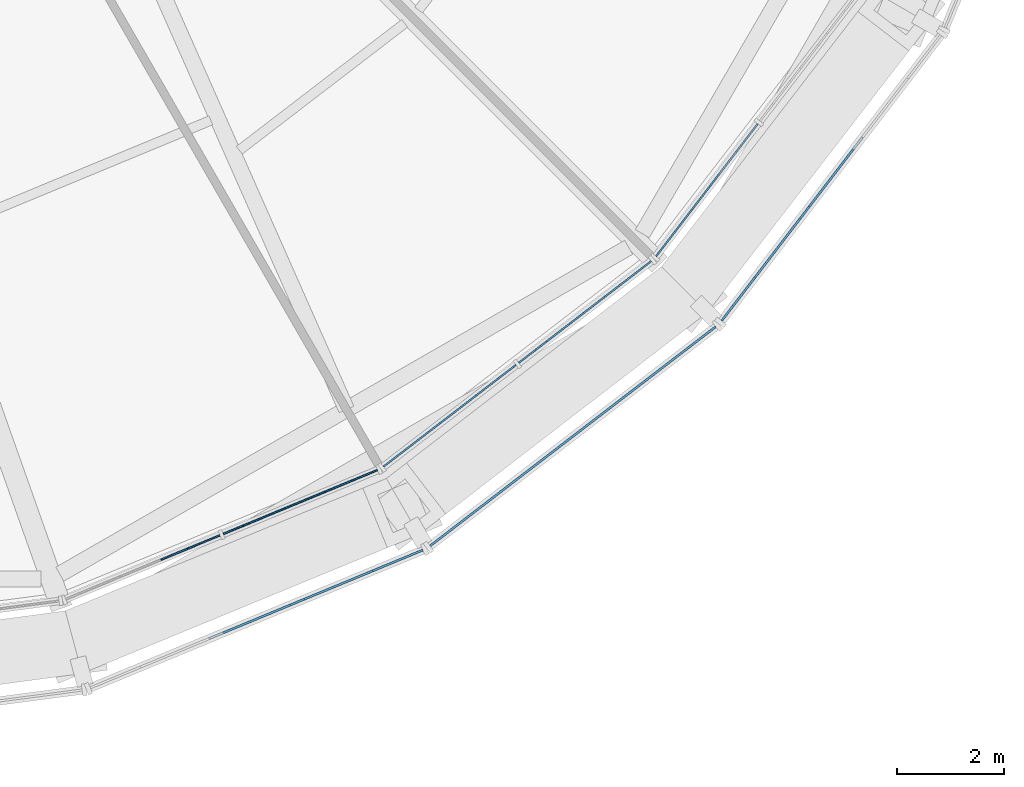
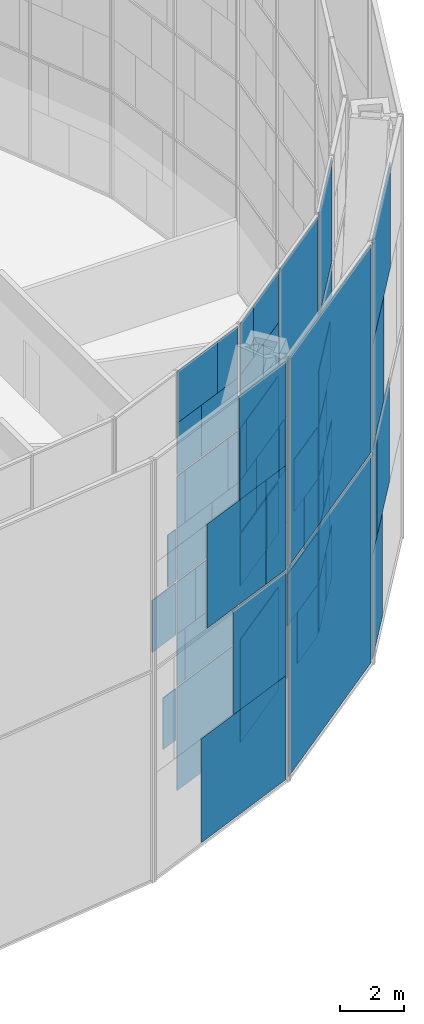
# One storey, part 18 of 30: 63 plates, 6 elements without a shape of their own.
"""IFC4 building model written with IfcOpenShell, lengths in metres."""

from ifc_helpers import new_model, si_unit, direction, frame, origin, origin_2d, place, context, subcontext, project, spatial, rectangle, extrude, material, layer, layer_set, type_object, element, aggregate, save


model = new_model("IFC4")

# Units and contexts
model_context = context("Model", 3, precision=1e-05, world=origin(), true_north=direction((0.0, 1.0)))
body_context = subcontext(model_context, "Body", "Model", "MODEL_VIEW")
ifc_project = project(units=[si_unit("LENGTHUNIT", "METRE"), si_unit("AREAUNIT", "SQUARE_METRE"), si_unit("VOLUMEUNIT", "CUBIC_METRE"), si_unit("PLANEANGLEUNIT", "RADIAN"), si_unit("MASSUNIT", "GRAM", prefix="KILO")], contexts=[model_context])

# Site, building, storey
site_placement = place(None, origin())
site = spatial("IfcSite", under=ifc_project, at=site_placement, CompositionType="ELEMENT")
building_placement = place(site_placement, origin())
building = spatial("IfcBuilding", under=site, at=building_placement, Name="Golbaran Civic Tower", CompositionType="ELEMENT")
storey_placement = place(building_placement, frame((0.0, 0.0, 102.0)))
storey = spatial("IfcBuildingStorey", under=building, at=storey_placement, Name="L24", CompositionType="ELEMENT", Elevation=102.0)

# Curtain wall, plates
ifc_material_1 = material(Name="Aluminium and glass", Category="aluminium")
curtain_wall_type_1 = type_object("IfcCurtainWallType", Name="INNER SKIN CURTAIN WALL", PredefinedType="NOTDEFINED", material=ifc_material_1)
curtain_wall_1_placement = place(storey_placement, origin())
curtain_wall_1 = element("IfcCurtainWall", 1, at=curtain_wall_1_placement, inside=storey, type_object=curtain_wall_type_1, Name="Inner skin L24 facet 20 CW1", ObjectType="INNER SKIN", PredefinedType="USERDEFINED")
ifc_material_2 = material(Name="Clear insulating glass", Category="glass")
ifc_layer_1 = layer(ifc_material_2, 0.031982421875, Name="Clear insulating glass")
ifc_layer_set_1 = layer_set([ifc_layer_1], Name="Clear insulating glass")
plate_type_1 = type_object("IfcPlateType", Name="INNER SKIN CURTAIN WALL GLAZED PANEL", PredefinedType="CURTAIN_PANEL", material=ifc_layer_set_1)
plate_1_placement = place(storey_placement, frame((8.994140625, -22.64990234375, 2.016357421875), z_axis=(0.0, 0.0, 1.0), x_axis=(0.923879532465, 0.382683432478, 0.0)))
plate_1 = element("IfcPlate", 2, at=plate_1_placement, type_object=plate_type_1, Name="CW1 panel 1.1 part 4", PredefinedType="CURTAIN_PANEL", context=body_context, shape_type="SweptSolid", body=[
    extrude(rectangle(XDim=0.651611328125, YDim=0.031982421875, at=origin_2d()), origin(), (0.0, 0.0, 1.0), 1.951171875),
])
plate_2_placement = place(storey_placement, frame((10.7919921875, -21.9052734375, 0.06494140625), z_axis=(0.0, 0.0, 1.0), x_axis=(0.923879532465, 0.382683432478, 0.0)))
plate_2 = element("IfcPlate", 3, at=plate_2_placement, type_object=plate_type_1, Name="CW1 panel 2.1", PredefinedType="CURTAIN_PANEL", context=body_context, shape_type="SweptSolid", body=[
    extrude(rectangle(XDim=3.110595703125, YDim=0.031982421875, at=origin_2d()), origin(), (0.0, 0.0, 1.0), 3.902587890625),
])
plate_3_placement = place(storey_placement, frame((10.977294921875, -21.82861328125, 4.03271484375), z_axis=(0.0, 0.0, 1.0), x_axis=(0.923879532465, 0.382683432478, 0.0)))
plate_3 = element("IfcPlate", 4, at=plate_3_placement, type_object=plate_type_1, Name="CW1 panel 2.2 part 2", PredefinedType="CURTAIN_PANEL", context=body_context, shape_type="SweptSolid", body=[
    extrude(rectangle(XDim=2.70947265625, YDim=0.031982421875, at=origin_2d()), origin(), (0.0, 0.0, 1.0), 1.967529296875),
])
plate_4_placement = place(storey_placement, frame((11.226318359375, -21.725341796875, 6.0), z_axis=(0.0, 0.0, 1.0), x_axis=(0.923879532465, 0.382683432478, 0.0)))
plate_4 = element("IfcPlate", 5, at=plate_4_placement, type_object=plate_type_1, Name="CW1 panel 2.2 part 4", PredefinedType="CURTAIN_PANEL", context=body_context, shape_type="SweptSolid", body=[
    extrude(rectangle(XDim=2.170654296875, YDim=0.031982421875, at=origin_2d()), origin(), (0.0, 0.0, 1.0), 1.967529296875),
])
plate_5_placement = place(storey_placement, frame((11.615234375, -21.564208984375, 8.03271484375), z_axis=(0.0, 0.0, 1.0), x_axis=(0.923879532465, 0.382683432478, 0.0)))
plate_5 = element("IfcPlate", 6, at=plate_5_placement, type_object=plate_type_1, Name="CW1 panel 2.3 part 2", PredefinedType="CURTAIN_PANEL", context=body_context, shape_type="SweptSolid", body=[
    extrude(rectangle(XDim=1.32861328125, YDim=0.031982421875, at=origin_2d()), origin(), (0.0, 0.0, 1.0), 1.967529296875),
])
plate_6_placement = place(storey_placement, frame((9.5400390625, -22.423828125, 10.0), z_axis=(0.0, 0.0, 1.0), x_axis=(0.923879532465, 0.382683432478, 0.0)))
plate_6 = element("IfcPlate", 7, at=plate_6_placement, type_object=plate_type_1, Name="CW1 panel 2.3 part 3", PredefinedType="CURTAIN_PANEL", context=body_context, shape_type="SweptSolid", body=[
    extrude(rectangle(XDim=0.39990234375, YDim=0.031982421875, at=origin_2d()), origin(), (0.0, 0.0, 1.0), 1.967529296875),
])
plate_7_placement = place(storey_placement, frame((11.99169921875, -21.408203125, 10.0), z_axis=(0.0, 0.0, 1.0), x_axis=(0.923879532465, 0.382683432478, 0.0)))
plate_7 = element("IfcPlate", 8, at=plate_7_placement, type_object=plate_type_1, Name="CW1 panel 2.3 part 5", PredefinedType="CURTAIN_PANEL", context=body_context, shape_type="SweptSolid", body=[
    extrude(rectangle(XDim=0.513671875, YDim=0.031982421875, at=origin_2d()), origin(), (0.0, 0.0, 1.0), 1.967529296875),
])
plate_8_placement = place(storey_placement, frame((9.928955078125, -22.2626953125, 12.032470703125), z_axis=(0.0, 0.0, 1.0), x_axis=(0.923879532465, 0.382683432478, 0.0)))
plate_8 = element("IfcPlate", 9, at=plate_8_placement, type_object=plate_type_1, Name="CW1 panel 2.4 part 1", PredefinedType="CURTAIN_PANEL", context=body_context, shape_type="SweptSolid", body=[
    extrude(rectangle(XDim=1.241943359375, YDim=0.031982421875, at=origin_2d()), origin(), (0.0, 0.0, 1.0), 1.951171875),
])
plate_9_placement = place(storey_placement, frame((10.30224609375, -22.108154296875, 13.98388671875), z_axis=(0.0, 0.0, 1.0), x_axis=(0.923879532465, 0.382683432478, 0.0)))
plate_9 = element("IfcPlate", 10, at=plate_9_placement, type_object=plate_type_1, Name="CW1 panel 2.4 part 3", PredefinedType="CURTAIN_PANEL", context=body_context, shape_type="SweptSolid", body=[
    extrude(rectangle(XDim=2.050048828125, YDim=0.031982421875, at=origin_2d()), origin(), (0.0, 0.0, 1.0), 1.951171875),
])

curtain_wall_2_placement = place(storey_placement, origin())
curtain_wall_2 = element("IfcCurtainWall", 11, at=curtain_wall_2_placement, inside=storey, type_object=curtain_wall_type_1, Name="Inner skin L24 facet 21 CW1", ObjectType="INNER SKIN", PredefinedType="USERDEFINED")
plate_10_placement = place(storey_placement, frame((13.574462890625, -20.298828125, 0.06494140625), z_axis=(0.0, 0.0, 1.0), x_axis=(0.793353340302, 0.608761428995, 0.0)))
plate_10 = element("IfcPlate", 12, at=plate_10_placement, type_object=plate_type_1, Name="CW1 panel 1.1", PredefinedType="CURTAIN_PANEL", context=body_context, shape_type="SweptSolid", body=[
    extrude(rectangle(XDim=3.110595703125, YDim=0.031982421875, at=origin_2d()), origin(), (0.0, 0.0, 1.0), 3.902587890625),
])
plate_11_placement = place(storey_placement, frame((13.415283203125, -20.421142578125, 4.03271484375), z_axis=(0.0, 0.0, 1.0), x_axis=(0.793353340302, 0.608761428995, 0.0)))
plate_11 = element("IfcPlate", 13, at=plate_11_placement, type_object=plate_type_1, Name="CW1 panel 1.2 part 1", PredefinedType="CURTAIN_PANEL", context=body_context, shape_type="SweptSolid", body=[
    extrude(rectangle(XDim=2.708984375, YDim=0.031982421875, at=origin_2d()), origin(), (0.0, 0.0, 1.0), 1.967529296875),
])
plate_12_placement = place(storey_placement, frame((13.20166015625, -20.584716796875, 6.0), z_axis=(0.0, 0.0, 1.0), x_axis=(0.793353340302, 0.608761428995, 0.0)))
plate_12 = element("IfcPlate", 14, at=plate_12_placement, type_object=plate_type_1, Name="CW1 panel 1.2 part 3", PredefinedType="CURTAIN_PANEL", context=body_context, shape_type="SweptSolid", body=[
    extrude(rectangle(XDim=2.1708984375, YDim=0.031982421875, at=origin_2d()), origin(), (0.0, 0.0, 1.0), 1.967529296875),
])
plate_13_placement = place(storey_placement, frame((12.86767578125, -20.841064453125, 8.03271484375), z_axis=(0.0, 0.0, 1.0), x_axis=(0.793353340302, 0.608761428995, 0.0)))
plate_13 = element("IfcPlate", 15, at=plate_13_placement, type_object=plate_type_1, Name="CW1 panel 1.3 part 1", PredefinedType="CURTAIN_PANEL", context=body_context, shape_type="SweptSolid", body=[
    extrude(rectangle(XDim=1.3291015625, YDim=0.031982421875, at=origin_2d()), origin(), (0.0, 0.0, 1.0), 1.967529296875),
])
plate_14_placement = place(storey_placement, frame((12.54443359375, -21.089111328125, 10.0), z_axis=(0.0, 0.0, 1.0), x_axis=(0.793353340302, 0.608761428995, 0.0)))
plate_14 = element("IfcPlate", 16, at=plate_14_placement, type_object=plate_type_1, Name="CW1 panel 1.3 part 3", PredefinedType="CURTAIN_PANEL", context=body_context, shape_type="SweptSolid", body=[
    extrude(rectangle(XDim=0.513916015625, YDim=0.031982421875, at=origin_2d()), origin(), (0.0, 0.0, 1.0), 1.967529296875),
])
plate_15_placement = place(storey_placement, frame((14.31591796875, -19.72998046875, 12.032470703125), z_axis=(0.0, 0.0, 1.0), x_axis=(0.793353340302, 0.608761428995, 0.0)))
plate_15 = element("IfcPlate", 17, at=plate_15_placement, type_object=plate_type_1, Name="CW1 panel 1.4 part 2", PredefinedType="CURTAIN_PANEL", context=body_context, shape_type="SweptSolid", body=[
    extrude(rectangle(XDim=1.241455078125, YDim=0.031982421875, at=origin_2d()), origin(), (0.0, 0.0, 1.0), 1.951171875),
])
plate_16_placement = place(storey_placement, frame((13.995361328125, -19.975830078125, 13.98388671875), z_axis=(0.0, 0.0, 1.0), x_axis=(0.793353340302, 0.608761428995, 0.0)))
plate_16 = element("IfcPlate", 18, at=plate_16_placement, type_object=plate_type_1, Name="CW1 panel 1.4 part 4", PredefinedType="CURTAIN_PANEL", context=body_context, shape_type="SweptSolid", body=[
    extrude(rectangle(XDim=2.049560546875, YDim=0.031982421875, at=origin_2d()), origin(), (0.0, 0.0, 1.0), 1.951171875),
])
plate_17_placement = place(storey_placement, frame((15.43896484375, -18.867919921875, 0.06494140625), z_axis=(0.0, 0.0, 1.0), x_axis=(0.793353340302, 0.608761428995, 0.0)))
plate_17 = element("IfcPlate", 19, at=plate_17_placement, type_object=plate_type_1, Name="CW1 panel 2.1 part 1", PredefinedType="CURTAIN_PANEL", context=body_context, shape_type="SweptSolid", body=[
    extrude(rectangle(XDim=1.4599609375, YDim=0.031982421875, at=origin_2d()), origin(), (0.0, 0.0, 1.0), 1.951171875),
])
plate_18_placement = place(storey_placement, frame((15.11865234375, -19.114013671875, 2.016357421875), z_axis=(0.0, 0.0, 1.0), x_axis=(0.793353340302, 0.608761428995, 0.0)))
plate_18 = element("IfcPlate", 20, at=plate_18_placement, type_object=plate_type_1, Name="CW1 panel 2.1 part 3", PredefinedType="CURTAIN_PANEL", context=body_context, shape_type="SweptSolid", body=[
    extrude(rectangle(XDim=0.652099609375, YDim=0.031982421875, at=origin_2d()), origin(), (0.0, 0.0, 1.0), 1.951171875),
])
plate_19_placement = place(storey_placement, frame((16.889892578125, -17.754638671875, 4.03271484375), z_axis=(0.0, 0.0, 1.0), x_axis=(0.793353340302, 0.608761428995, 0.0)))
plate_19 = element("IfcPlate", 21, at=plate_19_placement, type_object=plate_type_1, Name="CW1 panel 2.2 part 2", PredefinedType="CURTAIN_PANEL", context=body_context, shape_type="SweptSolid", body=[
    extrude(rectangle(XDim=1.103515625, YDim=0.031982421875, at=origin_2d()), origin(), (0.0, 0.0, 1.0), 1.967529296875),
])
plate_20_placement = place(storey_placement, frame((16.566650390625, -18.0029296875, 6.0), z_axis=(0.0, 0.0, 1.0), x_axis=(0.793353340302, 0.608761428995, 0.0)))
plate_20 = element("IfcPlate", 22, at=plate_20_placement, type_object=plate_type_1, Name="CW1 panel 2.2 part 4", PredefinedType="CURTAIN_PANEL", context=body_context, shape_type="SweptSolid", body=[
    extrude(rectangle(XDim=1.91845703125, YDim=0.031982421875, at=origin_2d()), origin(), (0.0, 0.0, 1.0), 1.967529296875),
])
plate_21_placement = place(storey_placement, frame((16.25244140625, -18.243896484375, 8.03271484375), z_axis=(0.0, 0.0, 1.0), x_axis=(0.793353340302, 0.608761428995, 0.0)))
plate_21 = element("IfcPlate", 23, at=plate_21_placement, type_object=plate_type_1, Name="CW1 panel 2.3 part 2", PredefinedType="CURTAIN_PANEL", context=body_context, shape_type="SweptSolid", body=[
    extrude(rectangle(XDim=2.710693359375, YDim=0.031982421875, at=origin_2d()), origin(), (0.0, 0.0, 1.0), 1.967529296875),
])
plate_22_placement = place(storey_placement, frame((16.09375, -18.36572265625, 10.0), z_axis=(0.0, 0.0, 1.0), x_axis=(0.793353340302, 0.608761428995, 0.0)))
plate_22 = element("IfcPlate", 24, at=plate_22_placement, type_object=plate_type_1, Name="CW1 panel 2.3 part 3", PredefinedType="CURTAIN_PANEL", context=body_context, shape_type="SweptSolid", body=[
    extrude(rectangle(XDim=3.110595703125, YDim=0.031982421875, at=origin_2d()), origin(), (0.0, 0.0, 1.0), 1.967529296875),
])
plate_23_placement = place(storey_placement, frame((16.09375, -18.36572265625, 12.0322265625), z_axis=(0.0, 0.0, 1.0), x_axis=(0.793353340302, 0.608761428995, 0.0)))
plate_23 = element("IfcPlate", 25, at=plate_23_placement, type_object=plate_type_1, Name="CW1 panel 2.4", PredefinedType="CURTAIN_PANEL", context=body_context, shape_type="SweptSolid", body=[
    extrude(rectangle(XDim=3.110595703125, YDim=0.031982421875, at=origin_2d()), origin(), (0.0, 0.0, 1.0), 3.902587890625),
])

curtain_wall_3_placement = place(storey_placement, origin())
curtain_wall_3 = element("IfcCurtainWall", 26, at=curtain_wall_3_placement, inside=storey, type_object=curtain_wall_type_1, Name="Inner skin L24 facet 22 CW1", ObjectType="INNER SKIN", PredefinedType="USERDEFINED")
plate_24_placement = place(storey_placement, frame((18.867919921875, -15.439208984375, 0.06494140625), z_axis=(0.0, 0.0, 1.0), x_axis=(0.608761428995, 0.793353340302, 0.0)))
plate_24 = element("IfcPlate", 27, at=plate_24_placement, type_object=plate_type_1, Name="CW1 panel 1.1 part 2", PredefinedType="CURTAIN_PANEL", context=body_context, shape_type="SweptSolid", body=[
    extrude(rectangle(XDim=1.460693359375, YDim=0.031982421875, at=origin_2d()), origin(), (0.0, 0.0, 1.0), 1.951171875),
])
plate_25_placement = place(storey_placement, frame((17.7548828125, -16.889892578125, 4.03271484375), z_axis=(0.0, 0.0, 1.0), x_axis=(0.608761428995, 0.793353340302, 0.0)))
plate_25 = element("IfcPlate", 28, at=plate_25_placement, type_object=plate_type_1, Name="CW1 panel 1.2 part 1", PredefinedType="CURTAIN_PANEL", context=body_context, shape_type="SweptSolid", body=[
    extrude(rectangle(XDim=1.10400390625, YDim=0.031982421875, at=origin_2d()), origin(), (0.0, 0.0, 1.0), 1.967529296875),
])
plate_26_placement = place(storey_placement, frame((18.0029296875, -16.56640625, 6.0), z_axis=(0.0, 0.0, 1.0), x_axis=(0.608761428995, 0.793353340302, 0.0)))
plate_26 = element("IfcPlate", 29, at=plate_26_placement, type_object=plate_type_1, Name="CW1 panel 1.2 part 3", PredefinedType="CURTAIN_PANEL", context=body_context, shape_type="SweptSolid", body=[
    extrude(rectangle(XDim=1.9189453125, YDim=0.031982421875, at=origin_2d()), origin(), (0.0, 0.0, 1.0), 1.967529296875),
])
plate_27_placement = place(storey_placement, frame((18.243408203125, -16.253173828125, 8.03271484375), z_axis=(0.0, 0.0, 1.0), x_axis=(0.608761428995, 0.793353340302, 0.0)))
plate_27 = element("IfcPlate", 30, at=plate_27_placement, type_object=plate_type_1, Name="CW1 panel 1.3 part 1", PredefinedType="CURTAIN_PANEL", context=body_context, shape_type="SweptSolid", body=[
    extrude(rectangle(XDim=2.708984375, YDim=0.031982421875, at=origin_2d()), origin(), (0.0, 0.0, 1.0), 1.967529296875),
])
plate_28_placement = place(storey_placement, frame((18.36572265625, -16.09375, 10.0), z_axis=(0.0, 0.0, 1.0), x_axis=(0.608761428995, 0.793353340302, 0.0)))
plate_28 = element("IfcPlate", 31, at=plate_28_placement, type_object=plate_type_1, Name="CW1 panel 1.3 part 3", PredefinedType="CURTAIN_PANEL", context=body_context, shape_type="SweptSolid", body=[
    extrude(rectangle(XDim=3.110595703125, YDim=0.031982421875, at=origin_2d()), origin(), (0.0, 0.0, 1.0), 1.967529296875),
])
plate_29_placement = place(storey_placement, frame((18.36572265625, -16.09375, 12.0322265625), z_axis=(0.0, 0.0, 1.0), x_axis=(0.608761428995, 0.793353340302, 0.0)))
plate_29 = element("IfcPlate", 32, at=plate_29_placement, type_object=plate_type_1, Name="CW1 panel 1.4", PredefinedType="CURTAIN_PANEL", context=body_context, shape_type="SweptSolid", body=[
    extrude(rectangle(XDim=3.110595703125, YDim=0.031982421875, at=origin_2d()), origin(), (0.0, 0.0, 1.0), 3.902587890625),
])

# Plate
ifc_material_3 = material(Name="Aluminium faced opaque infill panel", Category="aluminium")
ifc_layer_2 = layer(ifc_material_3, 0.031982421875, Name="Aluminium faced opaque infill panel")
ifc_layer_set_2 = layer_set([ifc_layer_2], Name="Aluminium faced opaque infill panel")
plate_type_2 = type_object("IfcPlateType", Name="INNER SKIN CURTAIN WALL OPAQUE INFILL PANEL", PredefinedType="CURTAIN_PANEL", material=ifc_layer_set_2)
plate_30_placement = place(storey_placement, frame((8.74462890625, -22.753173828125, 6.0), z_axis=(0.0, 0.0, 1.0), x_axis=(0.923879532465, 0.382683432478, 0.0)))
plate_30 = element("IfcPlate", 33, at=plate_30_placement, type_object=plate_type_2, Name="CW1 infill panel 1.2 part 4", PredefinedType="CURTAIN_PANEL", context=body_context, shape_type="SweptSolid", body=[
    extrude(rectangle(XDim=1.191650390625, YDim=0.031982421875, at=origin_2d()), origin(), (0.0, 0.0, 1.0), 1.967529296875),
])

plate_31_placement = place(storey_placement, frame((9.109619140625, -22.60205078125, 8.03271484375), z_axis=(0.0, 0.0, 1.0), x_axis=(0.923879532465, 0.382683432478, 0.0)))
plate_31 = element("IfcPlate", 34, at=plate_31_placement, type_object=plate_type_2, Name="CW1 infill panel 1.3 part 2", PredefinedType="CURTAIN_PANEL", context=body_context, shape_type="SweptSolid", body=[
    extrude(rectangle(XDim=0.401611328125, YDim=0.031982421875, at=origin_2d()), origin(), (0.0, 0.0, 1.0), 1.967529296875),
])

plate_32_placement = place(storey_placement, frame((9.540283203125, -22.423583984375, 4.03271484375), z_axis=(0.0, 0.0, 1.0), x_axis=(0.923879532465, 0.382683432478, 0.0)))
plate_32 = element("IfcPlate", 35, at=plate_32_placement, type_object=plate_type_2, Name="CW1 infill panel 2.2 part 1", PredefinedType="CURTAIN_PANEL", context=body_context, shape_type="SweptSolid", body=[
    extrude(rectangle(XDim=0.40087890625, YDim=0.031982421875, at=origin_2d()), origin(), (0.0, 0.0, 1.0), 1.967529296875),
])

plate_33_placement = place(storey_placement, frame((9.789306640625, -22.320556640625, 6.0), z_axis=(0.0, 0.0, 1.0), x_axis=(0.923879532465, 0.382683432478, 0.0)))
plate_33 = element("IfcPlate", 36, at=plate_33_placement, type_object=plate_type_2, Name="CW1 infill panel 2.2 part 3", PredefinedType="CURTAIN_PANEL", context=body_context, shape_type="SweptSolid", body=[
    extrude(rectangle(XDim=0.93994140625, YDim=0.031982421875, at=origin_2d()), origin(), (0.0, 0.0, 1.0), 1.967529296875),
])

plate_34_placement = place(storey_placement, frame((10.17822265625, -22.159423828125, 8.03271484375), z_axis=(0.0, 0.0, 1.0), x_axis=(0.923879532465, 0.382683432478, 0.0)))
plate_34 = element("IfcPlate", 37, at=plate_34_placement, type_object=plate_type_2, Name="CW1 infill panel 2.3 part 1", PredefinedType="CURTAIN_PANEL", context=body_context, shape_type="SweptSolid", body=[
    extrude(rectangle(XDim=1.781982421875, YDim=0.031982421875, at=origin_2d()), origin(), (0.0, 0.0, 1.0), 1.967529296875),
])

plate_35_placement = place(storey_placement, frame((10.739501953125, -21.927001953125, 10.0), z_axis=(0.0, 0.0, 1.0), x_axis=(0.923879532465, 0.382683432478, 0.0)))
plate_35 = element("IfcPlate", 38, at=plate_35_placement, type_object=plate_type_2, Name="CW1 infill panel 2.3 part 4", PredefinedType="CURTAIN_PANEL", context=body_context, shape_type="SweptSolid", body=[
    extrude(rectangle(XDim=2.197021484375, YDim=0.031982421875, at=origin_2d()), origin(), (0.0, 0.0, 1.0), 1.967529296875),
])

plate_36_placement = place(storey_placement, frame((11.36572265625, -21.66748046875, 12.032470703125), z_axis=(0.0, 0.0, 1.0), x_axis=(0.923879532465, 0.382683432478, 0.0)))
plate_36 = element("IfcPlate", 39, at=plate_36_placement, type_object=plate_type_2, Name="CW1 infill panel 2.4 part 2", PredefinedType="CURTAIN_PANEL", context=body_context, shape_type="SweptSolid", body=[
    extrude(rectangle(XDim=1.86865234375, YDim=0.031982421875, at=origin_2d()), origin(), (0.0, 0.0, 1.0), 1.951171875),
])

plate_37_placement = place(storey_placement, frame((11.739013671875, -21.512939453125, 13.98388671875), z_axis=(0.0, 0.0, 1.0), x_axis=(0.923879532465, 0.382683432478, 0.0)))
plate_37 = element("IfcPlate", 40, at=plate_37_placement, type_object=plate_type_2, Name="CW1 infill panel 2.4 part 4", PredefinedType="CURTAIN_PANEL", context=body_context, shape_type="SweptSolid", body=[
    extrude(rectangle(XDim=1.060546875, YDim=0.031982421875, at=origin_2d()), origin(), (0.0, 0.0, 1.0), 1.951171875),
])

aggregate(curtain_wall_1, [plate_1, plate_30, plate_31, plate_2, plate_32, plate_3, plate_33, plate_4, plate_34, plate_5, plate_6, plate_35, plate_7, plate_8, plate_36, plate_9, plate_37])

plate_38_placement = place(storey_placement, frame((14.649169921875, -19.47412109375, 4.03271484375), z_axis=(0.0, 0.0, 1.0), x_axis=(0.793353340302, 0.608761428995, 0.0)))
plate_38 = element("IfcPlate", 41, at=plate_38_placement, type_object=plate_type_2, Name="CW1 infill panel 1.2 part 2", PredefinedType="CURTAIN_PANEL", context=body_context, shape_type="SweptSolid", body=[
    extrude(rectangle(XDim=0.401611328125, YDim=0.031982421875, at=origin_2d()), origin(), (0.0, 0.0, 1.0), 1.967529296875),
])

plate_39_placement = place(storey_placement, frame((14.435546875, -19.637939453125, 6.0), z_axis=(0.0, 0.0, 1.0), x_axis=(0.793353340302, 0.608761428995, 0.0)))
plate_39 = element("IfcPlate", 42, at=plate_39_placement, type_object=plate_type_2, Name="CW1 infill panel 1.2 part 4", PredefinedType="CURTAIN_PANEL", context=body_context, shape_type="SweptSolid", body=[
    extrude(rectangle(XDim=0.939453125, YDim=0.031982421875, at=origin_2d()), origin(), (0.0, 0.0, 1.0), 1.967529296875),
])

plate_40_placement = place(storey_placement, frame((14.1015625, -19.894287109375, 8.03271484375), z_axis=(0.0, 0.0, 1.0), x_axis=(0.793353340302, 0.608761428995, 0.0)))
plate_40 = element("IfcPlate", 43, at=plate_40_placement, type_object=plate_type_2, Name="CW1 infill panel 1.3 part 2", PredefinedType="CURTAIN_PANEL", context=body_context, shape_type="SweptSolid", body=[
    extrude(rectangle(XDim=1.781494140625, YDim=0.031982421875, at=origin_2d()), origin(), (0.0, 0.0, 1.0), 1.967529296875),
])

plate_41_placement = place(storey_placement, frame((13.7783203125, -20.142333984375, 10.0), z_axis=(0.0, 0.0, 1.0), x_axis=(0.793353340302, 0.608761428995, 0.0)))
plate_41 = element("IfcPlate", 44, at=plate_41_placement, type_object=plate_type_2, Name="CW1 infill panel 1.3 part 4", PredefinedType="CURTAIN_PANEL", context=body_context, shape_type="SweptSolid", body=[
    extrude(rectangle(XDim=2.5966796875, YDim=0.031982421875, at=origin_2d()), origin(), (0.0, 0.0, 1.0), 1.967529296875),
])

plate_42_placement = place(storey_placement, frame((13.08203125, -20.6767578125, 12.032470703125), z_axis=(0.0, 0.0, 1.0), x_axis=(0.793353340302, 0.608761428995, 0.0)))
plate_42 = element("IfcPlate", 45, at=plate_42_placement, type_object=plate_type_2, Name="CW1 infill panel 1.4 part 1", PredefinedType="CURTAIN_PANEL", context=body_context, shape_type="SweptSolid", body=[
    extrude(rectangle(XDim=1.868896484375, YDim=0.031982421875, at=origin_2d()), origin(), (0.0, 0.0, 1.0), 1.951171875),
])

plate_43_placement = place(storey_placement, frame((12.761474609375, -20.922607421875, 13.98388671875), z_axis=(0.0, 0.0, 1.0), x_axis=(0.793353340302, 0.608761428995, 0.0)))
plate_43 = element("IfcPlate", 46, at=plate_43_placement, type_object=plate_type_2, Name="CW1 infill panel 1.4 part 3", PredefinedType="CURTAIN_PANEL", context=body_context, shape_type="SweptSolid", body=[
    extrude(rectangle(XDim=1.06103515625, YDim=0.031982421875, at=origin_2d()), origin(), (0.0, 0.0, 1.0), 1.951171875),
])

plate_44_placement = place(storey_placement, frame((16.6728515625, -17.921142578125, 0.06494140625), z_axis=(0.0, 0.0, 1.0), x_axis=(0.793353340302, 0.608761428995, 0.0)))
plate_44 = element("IfcPlate", 47, at=plate_44_placement, type_object=plate_type_2, Name="CW1 infill panel 2.1 part 2", PredefinedType="CURTAIN_PANEL", context=body_context, shape_type="SweptSolid", body=[
    extrude(rectangle(XDim=1.650634765625, YDim=0.031982421875, at=origin_2d()), origin(), (0.0, 0.0, 1.0), 1.951171875),
])

plate_45_placement = place(storey_placement, frame((16.3525390625, -18.167236328125, 2.016357421875), z_axis=(0.0, 0.0, 1.0), x_axis=(0.793353340302, 0.608761428995, 0.0)))
plate_45 = element("IfcPlate", 48, at=plate_45_placement, type_object=plate_type_2, Name="CW1 infill panel 2.1 part 4", PredefinedType="CURTAIN_PANEL", context=body_context, shape_type="SweptSolid", body=[
    extrude(rectangle(XDim=2.45849609375, YDim=0.031982421875, at=origin_2d()), origin(), (0.0, 0.0, 1.0), 1.951171875),
])

plate_46_placement = place(storey_placement, frame((15.656005859375, -18.70166015625, 4.03271484375), z_axis=(0.0, 0.0, 1.0), x_axis=(0.793353340302, 0.608761428995, 0.0)))
plate_46 = element("IfcPlate", 49, at=plate_46_placement, type_object=plate_type_2, Name="CW1 infill panel 2.2 part 1", PredefinedType="CURTAIN_PANEL", context=body_context, shape_type="SweptSolid", body=[
    extrude(rectangle(XDim=2.007080078125, YDim=0.031982421875, at=origin_2d()), origin(), (0.0, 0.0, 1.0), 1.967529296875),
])

plate_47_placement = place(storey_placement, frame((15.332763671875, -18.94970703125, 6.0), z_axis=(0.0, 0.0, 1.0), x_axis=(0.793353340302, 0.608761428995, 0.0)))
plate_47 = element("IfcPlate", 50, at=plate_47_placement, type_object=plate_type_2, Name="CW1 infill panel 2.2 part 3", PredefinedType="CURTAIN_PANEL", context=body_context, shape_type="SweptSolid", body=[
    extrude(rectangle(XDim=1.19189453125, YDim=0.031982421875, at=origin_2d()), origin(), (0.0, 0.0, 1.0), 1.967529296875),
])

plate_48_placement = place(storey_placement, frame((15.0185546875, -19.190673828125, 8.03271484375), z_axis=(0.0, 0.0, 1.0), x_axis=(0.793353340302, 0.608761428995, 0.0)))
plate_48 = element("IfcPlate", 51, at=plate_48_placement, type_object=plate_type_2, Name="CW1 infill panel 2.3 part 1", PredefinedType="CURTAIN_PANEL", context=body_context, shape_type="SweptSolid", body=[
    extrude(rectangle(XDim=0.39990234375, YDim=0.031982421875, at=origin_2d()), origin(), (0.0, 0.0, 1.0), 1.967529296875),
])

aggregate(curtain_wall_2, [plate_10, plate_11, plate_38, plate_12, plate_39, plate_13, plate_40, plate_14, plate_41, plate_42, plate_15, plate_43, plate_16, plate_17, plate_44, plate_18, plate_45, plate_46, plate_19, plate_47, plate_20, plate_48, plate_21, plate_22, plate_23])

plate_49_placement = place(storey_placement, frame((17.921142578125, -16.673095703125, 0.06494140625), z_axis=(0.0, 0.0, 1.0), x_axis=(0.608761428995, 0.793353340302, 0.0)))
plate_49 = element("IfcPlate", 52, at=plate_49_placement, type_object=plate_type_2, Name="CW1 infill panel 1.1 part 1", PredefinedType="CURTAIN_PANEL", context=body_context, shape_type="SweptSolid", body=[
    extrude(rectangle(XDim=1.64990234375, YDim=0.031982421875, at=origin_2d()), origin(), (0.0, 0.0, 1.0), 1.951171875),
])

plate_50_placement = place(storey_placement, frame((18.167236328125, -16.352294921875, 2.016357421875), z_axis=(0.0, 0.0, 1.0), x_axis=(0.608761428995, 0.793353340302, 0.0)))
plate_50 = element("IfcPlate", 53, at=plate_50_placement, type_object=plate_type_2, Name="CW1 infill panel 1.1 part 3", PredefinedType="CURTAIN_PANEL", context=body_context, shape_type="SweptSolid", body=[
    extrude(rectangle(XDim=2.458984375, YDim=0.031982421875, at=origin_2d()), origin(), (0.0, 0.0, 1.0), 1.951171875),
])

plate_51_placement = place(storey_placement, frame((18.70166015625, -15.65576171875, 4.03271484375), z_axis=(0.0, 0.0, 1.0), x_axis=(0.608761428995, 0.793353340302, 0.0)))
plate_51 = element("IfcPlate", 54, at=plate_51_placement, type_object=plate_type_2, Name="CW1 infill panel 1.2 part 2", PredefinedType="CURTAIN_PANEL", context=body_context, shape_type="SweptSolid", body=[
    extrude(rectangle(XDim=2.006591796875, YDim=0.031982421875, at=origin_2d()), origin(), (0.0, 0.0, 1.0), 1.967529296875),
])

aggregate(curtain_wall_3, [plate_49, plate_24, plate_50, plate_25, plate_51, plate_26, plate_27, plate_28, plate_29])

# Curtain wall, plates
curtain_wall_type_2 = type_object("IfcCurtainWallType", Name="OUTER SKIN TERRACOTTA SCREEN", PredefinedType="NOTDEFINED", material=ifc_material_1)
curtain_wall_4_placement = place(storey_placement, origin())
curtain_wall_4 = element("IfcCurtainWall", 55, at=curtain_wall_4_placement, inside=storey, type_object=curtain_wall_type_2, Name="Outer skin L24 facet 20 CW3", ObjectType="OUTER SKIN", PredefinedType="USERDEFINED")
ifc_material_4 = material(Name="Clear laminated glass", Category="glass")
ifc_layer_3 = layer(ifc_material_4, 0.0400390625, Name="Clear laminated glass")
ifc_layer_set_3 = layer_set([ifc_layer_3], Name="Clear laminated glass")
plate_type_3 = type_object("IfcPlateType", Name="OUTER SKIN CLEAR GLASS PANEL", PredefinedType="CURTAIN_PANEL", material=ifc_layer_set_3)
plate_52_placement = place(storey_placement, frame((11.082275390625, -23.62548828125, -0.6298828125), z_axis=(0.0, 0.0, 1.0), x_axis=(0.923879532505, 0.382683432381, 0.0)))
plate_52 = element("IfcPlate", 56, at=plate_52_placement, type_object=plate_type_3, Name="CW3 panel 1.1 part 2", PredefinedType="CURTAIN_PANEL", context=body_context, shape_type="SweptSolid", body=[
    extrude(rectangle(XDim=4.308837890625, YDim=0.0400390625, at=origin_2d()), origin(), (0.0, 0.0, 1.0), 3.93994140625),
])
plate_53_placement = place(storey_placement, frame((11.8359375, -23.313232421875, 3.31005859375), z_axis=(0.0, 0.0, 1.0), x_axis=(0.923879532505, 0.382683432381, 0.0)))
plate_53 = element("IfcPlate", 57, at=plate_53_placement, type_object=plate_type_3, Name="CW3 panel 1.1 part 5", PredefinedType="CURTAIN_PANEL", context=body_context, shape_type="SweptSolid", body=[
    extrude(rectangle(XDim=2.6767578125, YDim=0.0400390625, at=origin_2d()), origin(), (0.0, 0.0, 1.0), 3.93994140625),
])
plate_54_placement = place(storey_placement, frame((12.605224609375, -22.99462890625, 7.330078125), z_axis=(0.0, 0.0, 1.0), x_axis=(0.923879532505, 0.382683432381, 0.0)))
plate_54 = element("IfcPlate", 58, at=plate_54_placement, type_object=plate_type_3, Name="CW3 panel 1.2 part 3", PredefinedType="CURTAIN_PANEL", context=body_context, shape_type="SweptSolid", body=[
    extrude(rectangle(XDim=1.011962890625, YDim=0.0400390625, at=origin_2d()), origin(), (0.0, 0.0, 1.0), 3.93994140625),
])

curtain_wall_5_placement = place(storey_placement, origin())
curtain_wall_5 = element("IfcCurtainWall", 59, at=curtain_wall_5_placement, inside=storey, type_object=curtain_wall_type_2, Name="Outer skin L24 facet 22 CW3", ObjectType="OUTER SKIN", PredefinedType="USERDEFINED")
plate_55_placement = place(storey_placement, frame((18.948974609375, -18.126708984375, 3.31005859375), z_axis=(0.0, 0.0, 1.0), x_axis=(0.608761428995, 0.793353340302, 0.0)))
plate_55 = element("IfcPlate", 60, at=plate_55_placement, type_object=plate_type_3, Name="CW3 panel 1.1 part 3", PredefinedType="CURTAIN_PANEL", context=body_context, shape_type="SweptSolid", body=[
    extrude(rectangle(XDim=1.012939453125, YDim=0.0400390625, at=origin_2d()), origin(), (0.0, 0.0, 1.0), 3.93994140625),
])
plate_56_placement = place(storey_placement, frame((19.455810546875, -17.46630859375, 7.330078125), z_axis=(0.0, 0.0, 1.0), x_axis=(0.608761428995, 0.793353340302, 0.0)))
plate_56 = element("IfcPlate", 61, at=plate_56_placement, type_object=plate_type_3, Name="CW3 panel 1.2 part 1", PredefinedType="CURTAIN_PANEL", context=body_context, shape_type="SweptSolid", body=[
    extrude(rectangle(XDim=2.677978515625, YDim=0.0400390625, at=origin_2d()), origin(), (0.0, 0.0, 1.0), 3.93994140625),
])
plate_57_placement = place(storey_placement, frame((19.95263671875, -16.81884765625, 11.27001953125), z_axis=(0.0, 0.0, 1.0), x_axis=(0.608761428995, 0.793353340302, 0.0)))
plate_57 = element("IfcPlate", 62, at=plate_57_placement, type_object=plate_type_3, Name="CW3 panel 1.2 part 4", PredefinedType="CURTAIN_PANEL", context=body_context, shape_type="SweptSolid", body=[
    extrude(rectangle(XDim=4.31005859375, YDim=0.0400390625, at=origin_2d()), origin(), (0.0, 0.0, 1.0), 3.93994140625),
])

# Plate
ifc_material_5 = material(Name="Terracotta baguette screen", Category="masonry")
ifc_layer_4 = layer(ifc_material_5, 0.0400390625, Name="Terracotta baguette screen")
ifc_layer_set_4 = layer_set([ifc_layer_4], Name="Terracotta baguette screen")
plate_type_4 = type_object("IfcPlateType", Name="OUTER SKIN TERRACOTTA INFILL PANEL", PredefinedType="CURTAIN_PANEL", material=ifc_layer_set_4)
plate_58_placement = place(storey_placement, frame((10.745361328125, -23.764892578125, 7.330078125), z_axis=(0.0, 0.0, 1.0), x_axis=(0.923879532505, 0.382683432381, 0.0)))
plate_58 = element("IfcPlate", 63, at=plate_58_placement, type_object=plate_type_4, Name="CW3 infill panel 1.2 part 2", PredefinedType="CURTAIN_PANEL", context=body_context, shape_type="SweptSolid", body=[
    extrude(rectangle(XDim=3.013916015625, YDim=0.0400390625, at=origin_2d()), origin(), (0.0, 0.0, 1.0), 3.93994140625),
])

plate_59_placement = place(storey_placement, frame((11.966796875, -23.259033203125, 11.27001953125), z_axis=(0.0, 0.0, 1.0), x_axis=(0.923879532505, 0.382683432381, 0.0)))
plate_59 = element("IfcPlate", 64, at=plate_59_placement, type_object=plate_type_4, Name="CW3 infill panel 1.2 part 5", PredefinedType="CURTAIN_PANEL", context=body_context, shape_type="SweptSolid", body=[
    extrude(rectangle(XDim=2.393798828125, YDim=0.0400390625, at=origin_2d()), origin(), (0.0, 0.0, 1.0), 3.93994140625),
])

aggregate(curtain_wall_4, [plate_52, plate_53, plate_58, plate_54, plate_59])

plate_60_placement = place(storey_placement, frame((19.36962890625, -17.578369140625, -0.6298828125), z_axis=(0.0, 0.0, 1.0), x_axis=(0.608761428995, 0.793353340302, 0.0)))
plate_60 = element("IfcPlate", 65, at=plate_60_placement, type_object=plate_type_4, Name="CW3 infill panel 1.1 part 1", PredefinedType="CURTAIN_PANEL", context=body_context, shape_type="SweptSolid", body=[
    extrude(rectangle(XDim=2.39501953125, YDim=0.0400390625, at=origin_2d()), origin(), (0.0, 0.0, 1.0), 3.93994140625),
])

plate_61_placement = place(storey_placement, frame((20.1748046875, -16.529296875, 3.31005859375), z_axis=(0.0, 0.0, 1.0), x_axis=(0.608761428995, 0.793353340302, 0.0)))
plate_61 = element("IfcPlate", 66, at=plate_61_placement, type_object=plate_type_4, Name="CW3 infill panel 1.1 part 4", PredefinedType="CURTAIN_PANEL", context=body_context, shape_type="SweptSolid", body=[
    extrude(rectangle(XDim=3.013916015625, YDim=0.0400390625, at=origin_2d()), origin(), (0.0, 0.0, 1.0), 3.93994140625),
])

aggregate(curtain_wall_5, [plate_60, plate_55, plate_61, plate_56, plate_57])

# Curtain wall, plates
curtain_wall_6_placement = place(storey_placement, origin())
curtain_wall_6 = element("IfcCurtainWall", 67, at=curtain_wall_6_placement, inside=storey, type_object=curtain_wall_type_2, Name="Outer skin L24 facet 21 CW3", ObjectType="OUTER SKIN", PredefinedType="USERDEFINED")
ifc_layer_5 = layer(ifc_material_5, 0.0400390625, Name="Terracotta baguette screen")
ifc_layer_set_5 = layer_set([ifc_layer_5], Name="Terracotta baguette screen")
plate_type_5 = type_object("IfcPlateType", Name="OUTER SKIN TERRACOTTA SCREEN PANEL", PredefinedType="CURTAIN_PANEL", material=ifc_layer_set_5)
plate_62_placement = place(storey_placement, frame((15.869140625, -20.68115234375, -0.6298828125), z_axis=(0.0, 0.0, 1.0), x_axis=(0.793353340302, 0.608761428995, 0.0)))
plate_62 = element("IfcPlate", 68, at=plate_62_placement, type_object=plate_type_5, Name="CW3 terracotta screen panel 1.1", PredefinedType="CURTAIN_PANEL", context=body_context, shape_type="SweptSolid", body=[
    extrude(rectangle(XDim=6.703857421875, YDim=0.0400390625, at=origin_2d()), origin(), (0.0, 0.0, 1.0), 7.8798828125),
])
plate_63_placement = place(storey_placement, frame((15.869140625, -20.68115234375, 7.330078125), z_axis=(0.0, 0.0, 1.0), x_axis=(0.793353340302, 0.608761428995, 0.0)))
plate_63 = element("IfcPlate", 69, at=plate_63_placement, type_object=plate_type_5, Name="CW3 terracotta screen panel 1.2", PredefinedType="CURTAIN_PANEL", context=body_context, shape_type="SweptSolid", body=[
    extrude(rectangle(XDim=6.703857421875, YDim=0.0400390625, at=origin_2d()), origin(), (0.0, 0.0, 1.0), 7.8798828125),
])
aggregate(curtain_wall_6, [plate_62, plate_63])

save(model, "model.ifc")
